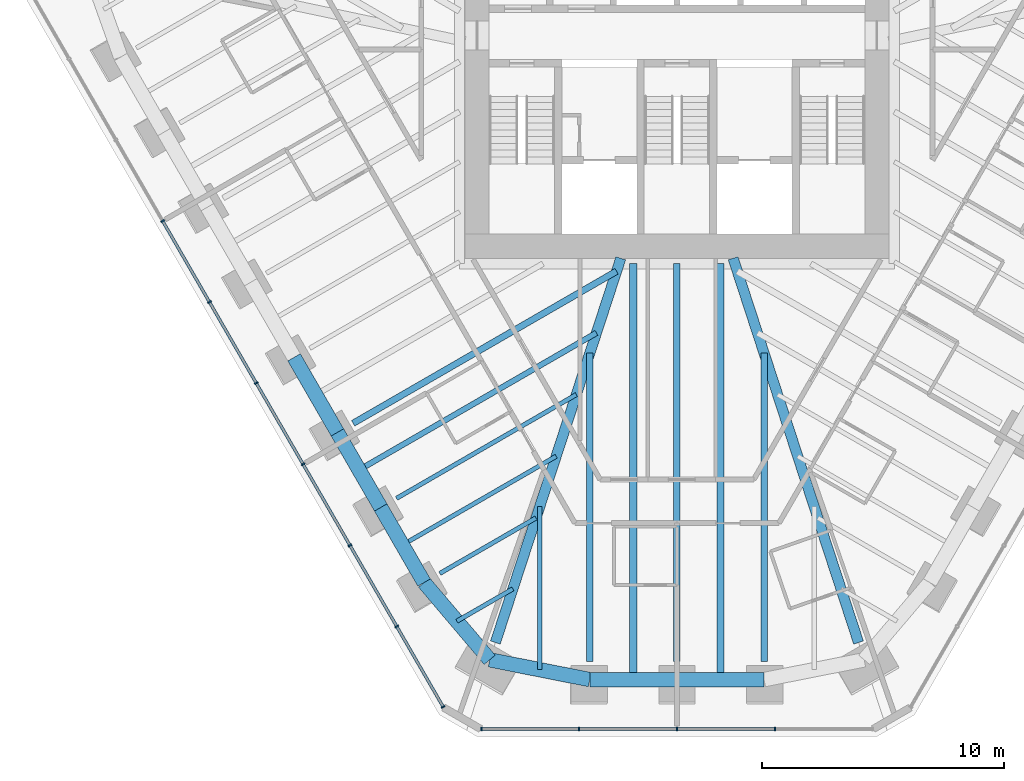
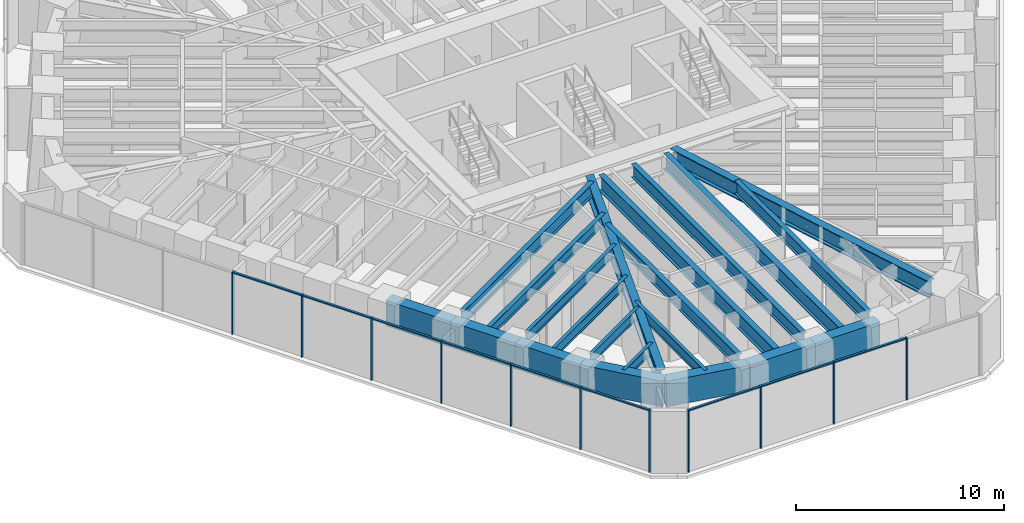
# One storey, part 2 of 17: 21 beams, 20 members, 2 elements without a shape of their own.
"""IFC4 building model written with IfcOpenShell, lengths in metres."""

import ifcopenshell
import ifcopenshell.guid

model = None  # the IFC model being written
_history = None  # IfcOwnerHistory: only IFC2X3 demands one
_inside = {}  # id of a spatial element -> (the spatial element, [elements in it])
_under = {}  # id of a project, library or spatial element -> (it, [spatial elements below it])
_declared = {}  # id of a project -> (the project, [libraries it declares])
_typed = {}  # id of a type object -> (the type object, [elements of that type])
_made_of = {}  # id of a material, layer set ... -> (it, [elements and type objects made of it])


def new_model(schema):
    """Start an empty IFC model of exactly this schema.

    Asked for "IFC4X3", IfcOpenShell would pick the latest addendum, in which some entities
    have other attributes; the version numbers below select the first issue.
    IFC2X3 requires an IfcOwnerHistory on every rooted entity: one is made here for all.
    """
    global model, _history
    if schema == "IFC4X3":
        model = ifcopenshell.file(schema_version=(4, 3, 0, 0))
    else:
        model = ifcopenshell.file(schema=schema)
    _inside.clear()
    _under.clear()
    _declared.clear()
    _typed.clear()
    _made_of.clear()
    _history = None
    if model.schema == "IFC2X3":
        org = make("IfcOrganization", Name="unknown")
        user = make(
            "IfcPersonAndOrganization",
            ThePerson=make("IfcPerson", FamilyName="unknown"),
            TheOrganization=org,
        )
        app = make(
            "IfcApplication",
            ApplicationDeveloper=org,
            Version="unknown",
            ApplicationFullName="unknown",
            ApplicationIdentifier="unknown",
        )
        _history = make(
            "IfcOwnerHistory",
            OwningUser=user,
            OwningApplication=app,
            ChangeAction="ADDED",
            CreationDate=0,
        )
    return model


def make(cls, **values):
    """One entity of the class cls with the attributes given. An attribute that is None is left unset."""
    return model.create_entity(
        cls, **{name: value for name, value in values.items() if value is not None}
    )


def rooted(cls, **values):
    """An entity with a GlobalId (a new one), such as an element, a storey or a relation."""
    return make(cls, GlobalId=ifcopenshell.guid.new(), OwnerHistory=_history, **values)


def si_unit(unit_type, name, prefix=None):
    """IfcSIUnit, for example si_unit("LENGTHUNIT", "METRE", prefix="MILLI")."""
    return make("IfcSIUnit", UnitType=unit_type, Prefix=prefix, Name=name)


def assignment(units):
    """IfcUnitAssignment: the units of a project."""
    return None if units is None else make("IfcUnitAssignment", Units=units)


def point(xyz):
    """IfcCartesianPoint."""
    return None if xyz is None else make("IfcCartesianPoint", Coordinates=xyz)


def direction(xyz):
    """IfcDirection."""
    return None if xyz is None else make("IfcDirection", DirectionRatios=xyz)


def frame(location, z_axis=None, x_axis=None):
    """IfcAxis2Placement3D, a coordinate frame: its origin and axes. An axis left out is left unset."""
    return make(
        "IfcAxis2Placement3D",
        Location=point(location),
        Axis=direction(z_axis),
        RefDirection=direction(x_axis),
    )


def frame_2d(location, x_axis=None):
    """IfcAxis2Placement2D, a coordinate frame in the plane: its origin and x axis."""
    return make(
        "IfcAxis2Placement2D", Location=point(location), RefDirection=direction(x_axis)
    )


def origin():
    """The frame at (0, 0, 0) with its axes left unset."""
    return frame((0.0, 0.0, 0.0))


def origin_2d():
    """The frame at (0, 0) in the plane with its x axis left unset."""
    return frame_2d((0.0, 0.0))


def place(relative_to, where):
    """IfcLocalPlacement: puts the frame where relative to a parent placement (None: the world)."""
    return make(
        "IfcLocalPlacement", PlacementRelTo=relative_to, RelativePlacement=where
    )


def context(
    kind, dimensions, precision=None, world=None, true_north=None, identifier=None
):
    """IfcGeometricRepresentationContext, for example the 3D "Model" context."""
    return make(
        "IfcGeometricRepresentationContext",
        ContextIdentifier=identifier,
        ContextType=kind,
        CoordinateSpaceDimension=dimensions,
        Precision=precision,
        WorldCoordinateSystem=world,
        TrueNorth=true_north,
    )


def subcontext(parent, identifier, kind, view, scale=None):
    """IfcGeometricRepresentationSubContext, for example "Body" below "Model"."""
    return make(
        "IfcGeometricRepresentationSubContext",
        ContextIdentifier=identifier,
        ContextType=kind,
        ParentContext=parent,
        TargetScale=scale,
        TargetView=view,
    )


def project(units=None, contexts=None):
    """IfcProject with its units and contexts."""
    return rooted(
        "IfcProject",
        Name="project",
        RepresentationContexts=contexts,
        UnitsInContext=assignment(units),
    )


def spatial(cls, under=None, at=None, **own):
    """A site, building, storey or space (cls), placed at a placement, below another one or the project."""
    s = rooted(cls, ObjectPlacement=at, **own)
    if under is not None:
        _under.setdefault(under.id(), (under, []))[1].append(s)
    return s


def profile(cls, at=None, kind="AREA", **sizes):
    """A parametric profile (cls). Its sizes go by their IFC names, for example OverallWidth=200.0."""
    return make(cls, ProfileType=kind, Position=at, **sizes)


def rectangle(**sizes):
    """IfcRectangleProfileDef."""
    return profile("IfcRectangleProfileDef", **sizes)


def i_section(**sizes):
    """IfcIShapeProfileDef."""
    return profile("IfcIShapeProfileDef", **sizes)


def extrude(swept, where, along, depth):
    """IfcExtrudedAreaSolid: the profile swept, set in the frame where, extruded along a direction by depth."""
    return make(
        "IfcExtrudedAreaSolid",
        SweptArea=swept,
        Position=where,
        ExtrudedDirection=direction(along),
        Depth=depth,
    )


def shape(context_of_items, identifier, shape_type, items):
    """IfcShapeRepresentation: the items that make up one representation, for example the "Body"."""
    return make(
        "IfcShapeRepresentation",
        ContextOfItems=context_of_items,
        RepresentationIdentifier=identifier,
        RepresentationType=shape_type,
        Items=items,
    )


def material(Name=None, Category=None):
    """IfcMaterial."""
    return make("IfcMaterial", Name=Name, Category=Category)


def material_profile(
    of_material, cross_section, Name=None, Category=None, Priority=None
):
    """IfcMaterialProfile: a cross section and its material."""
    return make(
        "IfcMaterialProfile",
        Name=Name,
        Material=of_material,
        Profile=cross_section,
        Priority=Priority,
        Category=Category,
    )


def profile_set(profiles, Name=None, composite=None):
    """IfcMaterialProfileSet."""
    return make(
        "IfcMaterialProfileSet",
        Name=Name,
        MaterialProfiles=profiles,
        CompositeProfile=composite,
    )


def made_of(thing, what):
    """Note that an element or type object is made of a material, layer set ...; save() writes the relation."""
    if what is not None:
        _made_of.setdefault(what.id(), (what, []))[1].append(thing)
    return thing


def type_object(cls, material=None, **own):
    """A type object (cls), such as IfcWallType, which elements share."""
    return made_of(rooted(cls, **own), material)


def element(
    cls,
    number,
    at=None,
    inside=None,
    cuts=None,
    type_object=None,
    material=None,
    context=None,
    identifier="Body",
    shape_type=None,
    held_by="IfcProductDefinitionShape",
    body=None,
    shapes=None,
    **own,
):
    """One element of the class cls, such as IfcWall. Its Tag is "e" and its number.

    at: its placement. inside: the storey or other place that contains it. cuts: it is an
    opening in that element (IfcRelVoidsElement). A single representation is given by context,
    identifier, shape_type and body (its items); several are given by shapes. held_by: the class
    of the entity that holds the representations. save() writes the other relations.
    """
    e = rooted(cls, Tag="e%d" % number, ObjectPlacement=at, **own)
    if body is not None:
        shapes = [shape(context, identifier, shape_type, body)]
    if shapes is not None:
        e.Representation = make(held_by, Representations=shapes)
    if inside is not None:
        _inside.setdefault(inside.id(), (inside, []))[1].append(e)
    if cuts is not None:
        rooted(
            "IfcRelVoidsElement", RelatingBuildingElement=cuts, RelatedOpeningElement=e
        )
    if type_object is not None:
        _typed.setdefault(type_object.id(), (type_object, []))[1].append(e)
    return made_of(e, material)


def aggregate(whole, parts):
    """IfcRelAggregates: a whole, such as a stair, and the parts it consists of."""
    return rooted("IfcRelAggregates", RelatingObject=whole, RelatedObjects=parts)


def save(model, path):
    """Write the relations noted so far, then the file.

    IfcRelAggregates (storeys below a building ...), IfcRelContainedInSpatialStructure (elements
    in a storey), IfcRelDefinesByType, IfcRelAssociatesMaterial and IfcRelDeclares: one each for
    every whole, place, type object, material and project.
    """
    for whole, parts in _under.values():
        aggregate(whole, parts)
    for where, things in _inside.values():
        rooted(
            "IfcRelContainedInSpatialStructure",
            RelatedElements=things,
            RelatingStructure=where,
        )
    for kind, things in _typed.values():
        rooted("IfcRelDefinesByType", RelatedObjects=things, RelatingType=kind)
    for what, things in _made_of.values():
        rooted("IfcRelAssociatesMaterial", RelatedObjects=things, RelatingMaterial=what)
    for by, libraries in _declared.values():
        rooted("IfcRelDeclares", RelatingContext=by, RelatedDefinitions=libraries)
    model.write(path)


model = new_model("IFC4")

# Units and contexts
model_context = context("Model", 3, precision=1e-05, world=origin(), true_north=direction((0.0, 1.0)))
body_context = subcontext(model_context, "Body", "Model", "MODEL_VIEW")
ifc_project = project(units=[si_unit("LENGTHUNIT", "METRE"), si_unit("AREAUNIT", "SQUARE_METRE"), si_unit("VOLUMEUNIT", "CUBIC_METRE"), si_unit("PLANEANGLEUNIT", "RADIAN"), si_unit("MASSUNIT", "GRAM", prefix="KILO")], contexts=[model_context])

# Site, building, storey
site_placement = place(None, origin())
site = spatial("IfcSite", under=ifc_project, at=site_placement, CompositionType="ELEMENT")
building_placement = place(site_placement, origin())
building = spatial("IfcBuilding", under=site, at=building_placement, Name="Sandreach Pilgrim Tower", CompositionType="ELEMENT")
storey_placement = place(building_placement, frame((0.0, 0.0, 240.199951171875)))
storey = spatial("IfcBuildingStorey", under=building, at=storey_placement, Name="L60", CompositionType="ELEMENT", Elevation=240.199951171875)

# Curtain wall, members
ifc_material_1 = material(Name="Aluminium framed curtain wall", Category="aluminium")
curtain_wall_type = type_object("IfcCurtainWallType", Name="Upper hotel tower curtain wall", PredefinedType="NOTDEFINED", material=ifc_material_1)
curtain_wall_1_placement = place(storey_placement, origin())
curtain_wall_1 = element("IfcCurtainWall", 1, at=curtain_wall_1_placement, inside=storey, type_object=curtain_wall_type, Name="CW-3 L60 S", PredefinedType="NOTDEFINED")
ifc_material_2 = material(Name="Aluminium extrusion", Category="aluminium")
ifc_material_profile_1 = material_profile(ifc_material_2, rectangle(XDim=0.06494140625, YDim=0.159912109375, at=origin_2d()), Name="CW-3M 65X160")
ifc_profile_set_1 = profile_set([ifc_material_profile_1], Name="Aluminium extrusion")
member_type_1 = type_object("IfcMemberType", Name="CW-3 mullion", PredefinedType="MULLION", material=ifc_profile_set_1)
member_1_placement = place(storey_placement, frame((4.048583984375, -26.525146484375, 0.0), z_axis=(0.0, 0.0, 1.0), x_axis=(-1.0, 0.0, 0.0)))
member_1 = element("IfcMember", 2, at=member_1_placement, type_object=member_type_1, Name="CW-3 mullion 2", PredefinedType="MULLION", context=body_context, shape_type="SweptSolid", body=[
    extrude(rectangle(XDim=0.06494140625, YDim=0.159912109375, at=origin_2d()), origin(), (0.0, 0.0, 1.0), 3.64013671875),
])
member_2_placement = place(storey_placement, frame((0.0, -26.525146484375, 0.0), z_axis=(0.0, 0.0, 1.0), x_axis=(-1.0, 0.0, 0.0)))
member_2 = element("IfcMember", 3, at=member_2_placement, type_object=member_type_1, Name="CW-3 mullion 3", PredefinedType="MULLION", context=body_context, shape_type="SweptSolid", body=[
    extrude(rectangle(XDim=0.06494140625, YDim=0.159912109375, at=origin_2d()), origin(), (0.0, 0.0, 1.0), 3.64013671875),
])
member_3_placement = place(storey_placement, frame((-4.048583984375, -26.525146484375, 0.0), z_axis=(0.0, 0.0, 1.0), x_axis=(-1.0, 0.0, 0.0)))
member_3 = element("IfcMember", 4, at=member_3_placement, type_object=member_type_1, Name="CW-3 mullion 4", PredefinedType="MULLION", context=body_context, shape_type="SweptSolid", body=[
    extrude(rectangle(XDim=0.06494140625, YDim=0.159912109375, at=origin_2d()), origin(), (0.0, 0.0, 1.0), 3.64013671875),
])
member_4_placement = place(storey_placement, frame((-8.06494140625, -26.525146484375, 0.0), z_axis=(0.0, 0.0, 1.0), x_axis=(-1.0, 0.0, 0.0)))
member_4 = element("IfcMember", 5, at=member_4_placement, type_object=member_type_1, Name="CW-3 mullion 5", PredefinedType="MULLION", context=body_context, shape_type="SweptSolid", body=[
    extrude(rectangle(XDim=0.06494140625, YDim=0.159912109375, at=origin_2d()), origin(), (0.0, 0.0, 1.0), 3.64013671875),
])

curtain_wall_2_placement = place(storey_placement, origin())
curtain_wall_2 = element("IfcCurtainWall", 6, at=curtain_wall_2_placement, inside=storey, type_object=curtain_wall_type, Name="CW-3 L60 SW", PredefinedType="NOTDEFINED")
member_5_placement = place(storey_placement, frame((-9.646484375, -25.612060546875, 0.0), z_axis=(0.0, 0.0, 1.0), x_axis=(-0.5, 0.866025403784, 0.0)))
member_5 = element("IfcMember", 7, at=member_5_placement, type_object=member_type_1, Name="CW-3 mullion 1", PredefinedType="MULLION", context=body_context, shape_type="SweptSolid", body=[
    extrude(rectangle(XDim=0.06494140625, YDim=0.159912109375, at=origin_2d()), origin(), (0.0, 0.0, 1.0), 3.64013671875),
])
member_6_placement = place(storey_placement, frame((-11.5625, -22.29345703125, 0.0), z_axis=(0.0, 0.0, 1.0), x_axis=(-0.5, 0.866025403784, 0.0)))
member_6 = element("IfcMember", 8, at=member_6_placement, type_object=member_type_1, Name="CW-3 mullion 2", PredefinedType="MULLION", context=body_context, shape_type="SweptSolid", body=[
    extrude(rectangle(XDim=0.06494140625, YDim=0.159912109375, at=origin_2d()), origin(), (0.0, 0.0, 1.0), 3.64013671875),
])
member_7_placement = place(storey_placement, frame((-13.49462890625, -18.94677734375, 0.0), z_axis=(0.0, 0.0, 1.0), x_axis=(-0.5, 0.866025403784, 0.0)))
member_7 = element("IfcMember", 9, at=member_7_placement, type_object=member_type_1, Name="CW-3 mullion 3", PredefinedType="MULLION", context=body_context, shape_type="SweptSolid", body=[
    extrude(rectangle(XDim=0.06494140625, YDim=0.159912109375, at=origin_2d()), origin(), (0.0, 0.0, 1.0), 3.64013671875),
])
member_8_placement = place(storey_placement, frame((-15.4267578125, -15.60009765625, 0.0), z_axis=(0.0, 0.0, 1.0), x_axis=(-0.5, 0.866025403784, 0.0)))
member_8 = element("IfcMember", 10, at=member_8_placement, type_object=member_type_1, Name="CW-3 mullion 4", PredefinedType="MULLION", context=body_context, shape_type="SweptSolid", body=[
    extrude(rectangle(XDim=0.06494140625, YDim=0.159912109375, at=origin_2d()), origin(), (0.0, 0.0, 1.0), 3.64013671875),
])
member_9_placement = place(storey_placement, frame((-17.359130859375, -12.25341796875, 0.0), z_axis=(0.0, 0.0, 1.0), x_axis=(-0.5, 0.866025403784, 0.0)))
member_9 = element("IfcMember", 11, at=member_9_placement, type_object=member_type_1, Name="CW-3 mullion 5", PredefinedType="MULLION", context=body_context, shape_type="SweptSolid", body=[
    extrude(rectangle(XDim=0.06494140625, YDim=0.159912109375, at=origin_2d()), origin(), (0.0, 0.0, 1.0), 3.64013671875),
])
member_10_placement = place(storey_placement, frame((-19.291259765625, -8.90673828125, 0.0), z_axis=(0.0, 0.0, 1.0), x_axis=(-0.5, 0.866025403784, 0.0)))
member_10 = element("IfcMember", 12, at=member_10_placement, type_object=member_type_1, Name="CW-3 mullion 6", PredefinedType="MULLION", context=body_context, shape_type="SweptSolid", body=[
    extrude(rectangle(XDim=0.06494140625, YDim=0.159912109375, at=origin_2d()), origin(), (0.0, 0.0, 1.0), 3.64013671875),
])
member_11_placement = place(storey_placement, frame((-21.223388671875, -5.56005859375, 0.0), z_axis=(0.0, 0.0, 1.0), x_axis=(-0.5, 0.866025403784, 0.0)))
member_11 = element("IfcMember", 13, at=member_11_placement, type_object=member_type_1, Name="CW-3 mullion 7", PredefinedType="MULLION", context=body_context, shape_type="SweptSolid", body=[
    extrude(rectangle(XDim=0.06494140625, YDim=0.159912109375, at=origin_2d()), origin(), (0.0, 0.0, 1.0), 3.64013671875),
])

# Member
ifc_material_3 = material(Name="Aluminium extrusion", Category="aluminium")
ifc_material_profile_2 = material_profile(ifc_material_3, rectangle(XDim=0.1201171875, YDim=0.070068359375, at=origin_2d()), Name="CW-3T 120X70")
ifc_profile_set_2 = profile_set([ifc_material_profile_2], Name="Aluminium extrusion")
member_type_2 = type_object("IfcMemberType", Name="CW-3 transom", PredefinedType="USERDEFINED", material=ifc_profile_set_2)
member_12_placement = place(storey_placement, frame((4.01611328125, -26.525146484375, 3.60498046875), z_axis=(-1.0, 0.0, 0.0), x_axis=(0.0, -1.0, 0.0)))
member_12 = element("IfcMember", 14, at=member_12_placement, type_object=member_type_2, Name="CW-3 head transom 2", ObjectType="TRANSOM", PredefinedType="USERDEFINED", context=body_context, shape_type="SweptSolid", body=[
    extrude(rectangle(XDim=0.1201171875, YDim=0.070068359375, at=origin_2d()), origin(), (0.0, 0.0, 1.0), 3.983642578125),
])

member_13_placement = place(storey_placement, frame((-0.032470703125, -26.525146484375, 3.60498046875), z_axis=(-1.0, 0.0, 0.0), x_axis=(0.0, -1.0, 0.0)))
member_13 = element("IfcMember", 15, at=member_13_placement, type_object=member_type_2, Name="CW-3 head transom 3", ObjectType="TRANSOM", PredefinedType="USERDEFINED", context=body_context, shape_type="SweptSolid", body=[
    extrude(rectangle(XDim=0.1201171875, YDim=0.070068359375, at=origin_2d()), origin(), (0.0, 0.0, 1.0), 3.983642578125),
])

member_14_placement = place(storey_placement, frame((-4.081298828125, -26.525146484375, 3.60498046875), z_axis=(-1.0, 0.0, 0.0), x_axis=(0.0, -1.0, 0.0)))
member_14 = element("IfcMember", 16, at=member_14_placement, type_object=member_type_2, Name="CW-3 head transom 4", ObjectType="TRANSOM", PredefinedType="USERDEFINED", context=body_context, shape_type="SweptSolid", body=[
    extrude(rectangle(XDim=0.1201171875, YDim=0.070068359375, at=origin_2d()), origin(), (0.0, 0.0, 1.0), 3.951171875),
])

aggregate(curtain_wall_1, [member_1, member_2, member_3, member_4, member_12, member_13, member_14])

member_15_placement = place(storey_placement, frame((-9.662841796875, -25.583740234375, 3.60498046875), z_axis=(-0.499973055223, 0.8660409598, 0.0), x_axis=(-0.8660409598, -0.499973055223, 0.0)))
member_15 = element("IfcMember", 17, at=member_15_placement, type_object=member_type_2, Name="CW-3 head transom 1", ObjectType="TRANSOM", PredefinedType="USERDEFINED", context=body_context, shape_type="SweptSolid", body=[
    extrude(rectangle(XDim=0.1201171875, YDim=0.070068359375, at=origin_2d()), origin(), (0.0, 0.0, 1.0), 3.766845703125),
])

member_16_placement = place(storey_placement, frame((-11.57861328125, -22.265380859375, 3.60498046875), z_axis=(-0.500022797313, 0.86601224135, 0.0), x_axis=(-0.86601224135, -0.500022797313, 0.0)))
member_16 = element("IfcMember", 18, at=member_16_placement, type_object=member_type_2, Name="CW-3 head transom 2", ObjectType="TRANSOM", PredefinedType="USERDEFINED", context=body_context, shape_type="SweptSolid", body=[
    extrude(rectangle(XDim=0.1201171875, YDim=0.070068359375, at=origin_2d()), origin(), (0.0, 0.0, 1.0), 3.799560546875),
])

member_17_placement = place(storey_placement, frame((-13.510986328125, -18.918701171875, 3.60498046875), z_axis=(-0.499974606132, 0.866040064445, 0.0), x_axis=(-0.866040064445, -0.499974606132, 0.0)))
member_17 = element("IfcMember", 19, at=member_17_placement, type_object=member_type_2, Name="CW-3 head transom 3", ObjectType="TRANSOM", PredefinedType="USERDEFINED", context=body_context, shape_type="SweptSolid", body=[
    extrude(rectangle(XDim=0.1201171875, YDim=0.070068359375, at=origin_2d()), origin(), (0.0, 0.0, 1.0), 3.799560546875),
])

member_18_placement = place(storey_placement, frame((-15.443115234375, -15.572021484375, 3.60498046875), z_axis=(-0.499974606132, 0.866040064445, 0.0), x_axis=(-0.866040064445, -0.499974606132, 0.0)))
member_18 = element("IfcMember", 20, at=member_18_placement, type_object=member_type_2, Name="CW-3 head transom 4", ObjectType="TRANSOM", PredefinedType="USERDEFINED", context=body_context, shape_type="SweptSolid", body=[
    extrude(rectangle(XDim=0.1201171875, YDim=0.070068359375, at=origin_2d()), origin(), (0.0, 0.0, 1.0), 3.799560546875),
])

member_19_placement = place(storey_placement, frame((-17.375244140625, -12.225341796875, 3.60498046875), z_axis=(-0.500022797313, 0.86601224135, 0.0), x_axis=(-0.86601224135, -0.500022797313, 0.0)))
member_19 = element("IfcMember", 21, at=member_19_placement, type_object=member_type_2, Name="CW-3 head transom 5", ObjectType="TRANSOM", PredefinedType="USERDEFINED", context=body_context, shape_type="SweptSolid", body=[
    extrude(rectangle(XDim=0.1201171875, YDim=0.070068359375, at=origin_2d()), origin(), (0.0, 0.0, 1.0), 3.799560546875),
])

member_20_placement = place(storey_placement, frame((-19.3076171875, -8.878662109375, 3.60498046875), z_axis=(-0.499974606132, 0.866040064445, 0.0), x_axis=(-0.866040064445, -0.499974606132, 0.0)))
member_20 = element("IfcMember", 22, at=member_20_placement, type_object=member_type_2, Name="CW-3 head transom 6", ObjectType="TRANSOM", PredefinedType="USERDEFINED", context=body_context, shape_type="SweptSolid", body=[
    extrude(rectangle(XDim=0.1201171875, YDim=0.070068359375, at=origin_2d()), origin(), (0.0, 0.0, 1.0), 3.799560546875),
])

aggregate(curtain_wall_2, [member_5, member_6, member_7, member_8, member_9, member_10, member_11, member_15, member_16, member_17, member_18, member_19, member_20])

# Beams
ifc_material_4 = material(Name="Steel ASTM A992 Grade 50", Category="steel")
ifc_material_profile_3 = material_profile(ifc_material_4, i_section(OverallWidth=0.424072265625, OverallDepth=0.947509765625, WebThickness=0.02392578125, FlangeThickness=0.042724609375, at=origin_2d()), Name="W36X302")
ifc_profile_set_3 = profile_set([ifc_material_profile_3], Name="Steel ASTM A992 Grade 50")
beam_type_1 = type_object("IfcBeamType", Name="Corner girder W36X302", PredefinedType="BEAM", material=ifc_profile_set_3)
for number, where, z_axis, x_axis, name in (
    (23, (7.49365234375, -22.956787109375, 3.166259765625), (-0.310311354862, 0.950634978866, 0.0), (-0.950634978866, -0.310311354862, 0.0), "BM L60 CG22"),
    (24, (-7.49365234375, -22.956787109375, 3.166259765625), (0.310311354862, 0.950634978866, 0.0), (-0.950634978866, 0.310311354862, 0.0), "BM L60 CG26"),
):
    element("IfcBeam", number, at=place(storey_placement, frame(where, z_axis=z_axis, x_axis=x_axis)), inside=storey, type_object=beam_type_1, Name=name, PredefinedType="BEAM", context=body_context, shape_type="SweptSolid", body=[
        extrude(i_section(OverallWidth=0.424072265625, OverallDepth=0.947509765625, WebThickness=0.02392578125, FlangeThickness=0.042724609375, at=origin_2d()), origin(), (0.0, 0.0, 1.0), 16.68017578125),
    ])
ifc_material_5 = material(Name="Steel ASTM A992 Grade 50", Category="steel")
ifc_material_profile_4 = material_profile(ifc_material_5, i_section(OverallWidth=0.1787109375, OverallDepth=0.60205078125, WebThickness=0.010986328125, FlangeThickness=0.014892578125, at=origin_2d()), Name="W24X62")
ifc_profile_set_4 = profile_set([ifc_material_profile_4], Name="Steel ASTM A992 Grade 50")
beam_type_2 = type_object("IfcBeamType", Name="Floor beam W24X62", PredefinedType="BEAM", material=ifc_profile_set_4)
beam_1_placement = place(storey_placement, frame((-9.785400390625, -20.105224609375, 3.339111328125), z_axis=(0.866025975094, 0.499999010461, 0.0), x_axis=(-0.499999010461, 0.866025975094, 0.0)))
element("IfcBeam", 25, at=beam_1_placement, inside=storey, type_object=beam_type_2, Name="BM L60 F27", PredefinedType="BEAM", context=body_context, shape_type="SweptSolid", body=[
    extrude(i_section(OverallWidth=0.1787109375, OverallDepth=0.60205078125, WebThickness=0.010986328125, FlangeThickness=0.014892578125, at=origin_2d()), origin(), (0.0, 0.0, 1.0), 4.5849609375),
])
beam_2_placement = place(storey_placement, frame((-11.57373046875, -17.007568359375, 3.339111328125), z_axis=(0.866025207386, 0.500000340173, 0.0), x_axis=(-0.500000340173, 0.866025207386, 0.0)))
element("IfcBeam", 26, at=beam_2_placement, inside=storey, type_object=beam_type_2, Name="BM L60 F28", PredefinedType="BEAM", context=body_context, shape_type="SweptSolid", body=[
    extrude(i_section(OverallWidth=0.1787109375, OverallDepth=0.60205078125, WebThickness=0.010986328125, FlangeThickness=0.014892578125, at=origin_2d()), origin(), (0.0, 0.0, 1.0), 8.568359375),
])
beam_3_placement = place(storey_placement, frame((-5.6611328125, -24.078125, 3.339111328125), z_axis=(0.0, 1.0, 0.0), x_axis=(-1.0, 0.0, 0.0)))
element("IfcBeam", 27, at=beam_3_placement, inside=storey, type_object=beam_type_2, Name="BM L60 FM25", PredefinedType="BEAM", context=body_context, shape_type="SweptSolid", body=[
    extrude(i_section(OverallWidth=0.1787109375, OverallDepth=0.60205078125, WebThickness=0.010986328125, FlangeThickness=0.014892578125, at=origin_2d()), origin(), (0.0, 0.0, 1.0), 6.735107421875),
])
beam_4_placement = place(storey_placement, frame((-9.08056640625, -22.0751953125, 3.339111328125), z_axis=(0.865981341435, 0.500076310463, 0.0), x_axis=(-0.500076310463, 0.865981341435, 0.0)))
element("IfcBeam", 28, at=beam_4_placement, inside=storey, type_object=beam_type_2, Name="BM L60 FM26", PredefinedType="BEAM", context=body_context, shape_type="SweptSolid", body=[
    extrude(i_section(OverallWidth=0.1787109375, OverallDepth=0.60205078125, WebThickness=0.010986328125, FlangeThickness=0.014892578125, at=origin_2d()), origin(), (0.0, 0.0, 1.0), 2.66748046875),
])
beam_5_placement = place(storey_placement, frame((-11.3291015625, -18.931396484375, 3.339111328125), z_axis=(0.866030215664, 0.499991665488, 0.0), x_axis=(-0.499991665488, 0.866030215664, 0.0)))
element("IfcBeam", 29, at=beam_5_placement, inside=storey, type_object=beam_type_2, Name="BM L60 FM27", PredefinedType="BEAM", context=body_context, shape_type="SweptSolid", body=[
    extrude(i_section(OverallWidth=0.1787109375, OverallDepth=0.60205078125, WebThickness=0.010986328125, FlangeThickness=0.014892578125, at=origin_2d()), origin(), (0.0, 0.0, 1.0), 7.326904296875),
])
ifc_material_6 = material(Name="Steel ASTM A992 Grade 50", Category="steel")
ifc_material_profile_5 = material_profile(ifc_material_6, i_section(OverallWidth=0.23046875, OverallDepth=0.6171875, WebThickness=0.01318359375, FlangeThickness=0.022216796875, at=origin_2d()), Name="W24X94")
ifc_profile_set_5 = profile_set([ifc_material_profile_5], Name="Steel ASTM A992 Grade 50")
beam_type_3 = type_object("IfcBeamType", Name="Floor beam W24X94", PredefinedType="BEAM", material=ifc_profile_set_5)
beam_6_placement = place(storey_placement, frame((-13.117431640625, -15.833740234375, 3.33154296875), z_axis=(0.866028140569, 0.499995259721, 0.0), x_axis=(-0.499995259721, 0.866028140569, 0.0)))
element("IfcBeam", 30, at=beam_6_placement, inside=storey, type_object=beam_type_3, Name="BM L60 FM28", PredefinedType="BEAM", context=body_context, shape_type="SweptSolid", body=[
    extrude(i_section(OverallWidth=0.23046875, OverallDepth=0.6171875, WebThickness=0.01318359375, FlangeThickness=0.022216796875, at=origin_2d()), origin(), (0.0, 0.0, 1.0), 11.31005859375),
])
ifc_material_7 = material(Name="Steel ASTM A992 Grade 50", Category="steel")
ifc_material_profile_6 = material_profile(ifc_material_7, i_section(OverallWidth=0.2666015625, OverallDepth=0.761962890625, WebThickness=0.014404296875, FlangeThickness=0.021484375, at=origin_2d()), Name="W30X116")
ifc_profile_set_6 = profile_set([ifc_material_profile_6], Name="Steel ASTM A992 Grade 50")
beam_type_4 = type_object("IfcBeamType", Name="Floor beam W30X116", PredefinedType="BEAM", material=ifc_profile_set_6)
for number, where, z_axis, x_axis, name in (
    (31, (3.595947265625, -23.736328125, 3.259033203125), (0.0, 1.0, 0.0), (-1.0, 0.0, 0.0), "BM L60 F23"),
    (32, (-3.595947265625, -23.736328125, 3.259033203125), (0.0, 1.0, 0.0), (-1.0, 0.0, 0.0), "BM L60 F25"),
):
    element("IfcBeam", number, at=place(storey_placement, frame(where, z_axis=z_axis, x_axis=x_axis)), inside=storey, type_object=beam_type_4, Name=name, PredefinedType="BEAM", context=body_context, shape_type="SweptSolid", body=[
        extrude(i_section(OverallWidth=0.2666015625, OverallDepth=0.761962890625, WebThickness=0.014404296875, FlangeThickness=0.021484375, at=origin_2d()), origin(), (0.0, 0.0, 1.0), 12.719970703125),
    ])
beam_7_placement = place(storey_placement, frame((-13.3623046875, -13.909912109375, 3.259033203125), z_axis=(0.866029789531, 0.499992403587, 0.0), x_axis=(-0.499992403587, 0.866029789531, 0.0)))
element("IfcBeam", 33, at=beam_7_placement, inside=storey, type_object=beam_type_4, Name="BM L60 F29", PredefinedType="BEAM", context=body_context, shape_type="SweptSolid", body=[
    extrude(i_section(OverallWidth=0.2666015625, OverallDepth=0.761962890625, WebThickness=0.014404296875, FlangeThickness=0.021484375, at=origin_2d()), origin(), (0.0, 0.0, 1.0), 12.552001953125),
])
ifc_material_8 = material(Name="Steel ASTM A992 Grade 50", Category="steel")
ifc_material_profile_7 = material_profile(ifc_material_8, i_section(OverallWidth=0.2666015625, OverallDepth=0.77978515625, WebThickness=0.0166015625, FlangeThickness=0.030029296875, at=origin_2d()), Name="W30X148")
ifc_profile_set_7 = profile_set([ifc_material_profile_7], Name="Steel ASTM A992 Grade 50")
beam_type_5 = type_object("IfcBeamType", Name="Floor beam W30X148", PredefinedType="BEAM", material=ifc_profile_set_7)
beam_8_placement = place(storey_placement, frame((0.0, -23.736328125, 3.250244140625), z_axis=(0.0, 1.0, 0.0), x_axis=(-1.0, 0.0, 0.0)))
element("IfcBeam", 34, at=beam_8_placement, inside=storey, type_object=beam_type_5, Name="BM L60 F24", PredefinedType="BEAM", context=body_context, shape_type="SweptSolid", body=[
    extrude(i_section(OverallWidth=0.2666015625, OverallDepth=0.77978515625, WebThickness=0.0166015625, FlangeThickness=0.030029296875, at=origin_2d()), origin(), (0.0, 0.0, 1.0), 16.414306640625),
])
ifc_material_9 = material(Name="Steel ASTM A992 Grade 50", Category="steel")
ifc_material_profile_8 = material_profile(ifc_material_9, i_section(OverallWidth=0.3046875, OverallDepth=0.914306640625, WebThickness=0.0166015625, FlangeThickness=0.02587890625, at=origin_2d()), Name="W36X160")
ifc_profile_set_8 = profile_set([ifc_material_profile_8], Name="Steel ASTM A992 Grade 50")
beam_type_6 = type_object("IfcBeamType", Name="Floor beam W36X160", PredefinedType="BEAM", material=ifc_profile_set_8)
for number, where, z_axis, x_axis, name in (
    (35, (1.798095703125, -24.486328125, 3.182861328125), (0.0, 1.0, 0.0), (-1.0, 0.0, 0.0), "BM L60 FM23"),
    (36, (-1.798095703125, -24.486328125, 3.182861328125), (0.0, 1.0, 0.0), (-1.0, 0.0, 0.0), "BM L60 FM24"),
):
    element("IfcBeam", number, at=place(storey_placement, frame(where, z_axis=z_axis, x_axis=x_axis)), inside=storey, type_object=beam_type_6, Name=name, PredefinedType="BEAM", context=body_context, shape_type="SweptSolid", body=[
        extrude(i_section(OverallWidth=0.3046875, OverallDepth=0.914306640625, WebThickness=0.0166015625, FlangeThickness=0.02587890625, at=origin_2d()), origin(), (0.0, 0.0, 1.0), 17.164306640625),
    ])
ifc_material_10 = material(Name="Concrete 10000 psi", Category="concrete")
ifc_material_profile_9 = material_profile(ifc_material_10, rectangle(XDim=0.60009765625, YDim=1.5, at=origin_2d()), Name="RC600X1500")
ifc_profile_set_9 = profile_set([ifc_material_profile_9], Name="Concrete 10000 psi")
beam_type_7 = type_object("IfcBeamType", Name="Spandrel beam RC600X1500", PredefinedType="SPANDREL", material=ifc_profile_set_9)
for number, where, z_axis, x_axis, name in (
    (37, (3.595947265625, -24.486328125, 2.89013671875), (-1.0, 0.0, 0.0), (0.0, -1.0, 0.0), "BM L60 SP23"),
    (38, (0.0, -24.486328125, 2.89013671875), (-1.0, 0.0, 0.0), (0.0, -1.0, 0.0), "BM L60 SP24"),
):
    element("IfcBeam", number, at=place(storey_placement, frame(where, z_axis=z_axis, x_axis=x_axis)), inside=storey, type_object=beam_type_7, Name=name, PredefinedType="SPANDREL", context=body_context, shape_type="SweptSolid", body=[
        extrude(rectangle(XDim=0.60009765625, YDim=1.5, at=origin_2d()), origin(), (0.0, 0.0, 1.0), 3.595947265625),
    ])
beam_9_placement = place(storey_placement, frame((-3.595947265625, -24.486328125, 2.89013671875), z_axis=(-0.981021961384, 0.193896651035, 0.0), x_axis=(-0.193896651035, -0.981021961384, 0.0)))
element("IfcBeam", 39, at=beam_9_placement, inside=storey, type_object=beam_type_7, Name="BM L60 SP25", PredefinedType="SPANDREL", context=body_context, shape_type="SweptSolid", body=[
    extrude(rectangle(XDim=0.60009765625, YDim=1.5, at=origin_2d()), origin(), (0.0, 0.0, 1.0), 4.21044921875),
])
beam_10_placement = place(storey_placement, frame((-7.7265625, -23.669921875, 2.89013671875), z_axis=(-0.64723338076, 0.762291906575, 0.0), x_axis=(-0.762291906575, -0.64723338076, 0.0)))
element("IfcBeam", 40, at=beam_10_placement, inside=storey, type_object=beam_type_7, Name="BM L60 SP26", PredefinedType="SPANDREL", context=body_context, shape_type="SweptSolid", body=[
    extrude(rectangle(XDim=0.60009765625, YDim=1.5, at=origin_2d()), origin(), (0.0, 0.0, 1.0), 4.184326171875),
])
for number, where, z_axis, x_axis, name in (
    (41, (-10.434814453125, -20.480224609375, 2.89013671875), (-0.500029679218, 0.866008267802, 0.0), (-0.866008267802, -0.500029679218, 0.0), "BM L60 SP27"),
    (42, (-12.223388671875, -17.382568359375, 2.89013671875), (-0.499978488034, 0.866037823368, 0.0), (-0.866037823368, -0.499978488034, 0.0), "BM L60 SP28"),
    (43, (-14.01171875, -14.284912109375, 2.89013671875), (-0.499978488034, 0.866037823368, 0.0), (-0.866037823368, -0.499978488034, 0.0), "BM L60 SP29"),
):
    element("IfcBeam", number, at=place(storey_placement, frame(where, z_axis=z_axis, x_axis=x_axis)), inside=storey, type_object=beam_type_7, Name=name, PredefinedType="SPANDREL", context=body_context, shape_type="SweptSolid", body=[
        extrude(rectangle(XDim=0.60009765625, YDim=1.5, at=origin_2d()), origin(), (0.0, 0.0, 1.0), 3.576904296875),
    ])

save(model, "model.ifc")
